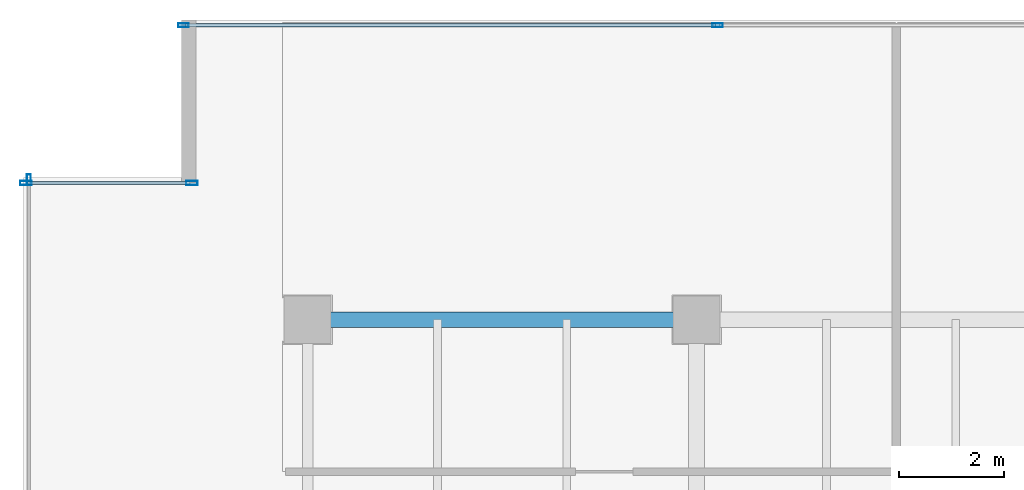
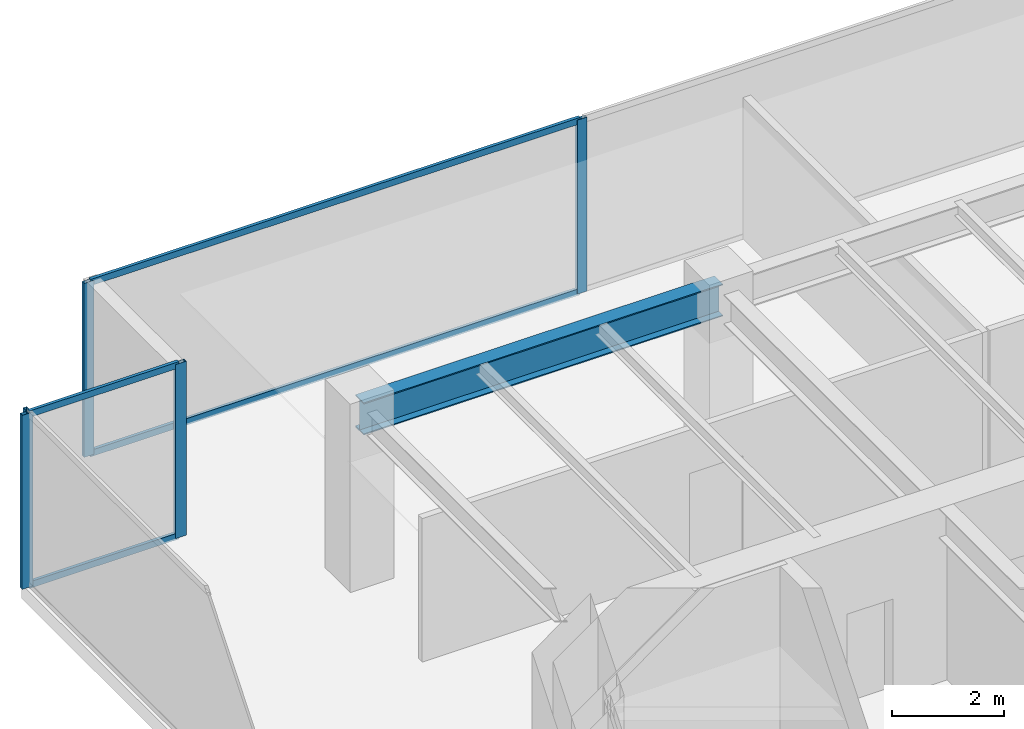
# One storey, part 14 of 33: 9 members, 1 beam, 3 elements without a shape of their own.
"""IFC4 building model written with IfcOpenShell, lengths in metres."""

from ifc_helpers import new_model, si_unit, direction, frame, origin, origin_2d, place, context, subcontext, project, spatial, hollow_rectangle, i_section, extrude, source, transform, mapped, material, layer, layer_set, material_profile, profile_set, type_object, type_shapes, element, aggregate, save


model = new_model("IFC4")

# Units and contexts
model_context = context("Model", 3, precision=1e-05, world=origin(), true_north=direction((0.0, 1.0)))
body_context = subcontext(model_context, "Body", "Model", "MODEL_VIEW")
ifc_project = project(units=[si_unit("LENGTHUNIT", "METRE"), si_unit("AREAUNIT", "SQUARE_METRE"), si_unit("VOLUMEUNIT", "CUBIC_METRE"), si_unit("PLANEANGLEUNIT", "RADIAN"), si_unit("MASSUNIT", "GRAM", prefix="KILO")], contexts=[model_context])

# Site, building, storey
site_placement = place(None, origin())
site = spatial("IfcSite", under=ifc_project, at=site_placement, CompositionType="ELEMENT")
building_placement = place(site_placement, origin())
building = spatial("IfcBuilding", under=site, at=building_placement, Name="Haelvirn Gate Laboratories", CompositionType="ELEMENT")
storey_placement = place(building_placement, frame((0.0, 0.0, 117.39990234375)))
storey = spatial("IfcBuildingStorey", under=building, at=storey_placement, Name="L28", CompositionType="ELEMENT", Elevation=117.39990234375)

# Beam
ifc_material_1 = material(Name="Steel SM355", Category="steel")
ifc_material_profile_1 = material_profile(ifc_material_1, i_section(OverallWidth=0.300048828125, OverallDepth=0.699951171875, WebThickness=0.012939453125, FlangeThickness=0.02392578125, at=origin_2d()), Name="H-700x300x13x24")
ifc_profile_set_1 = profile_set([ifc_material_profile_1], Name="Steel SM355")
beam_type = type_object("IfcBeamType", Name="BM-G-700", PredefinedType="BEAM", material=ifc_profile_set_1)
shared_shape_1 = source(origin(), body_context, "Body", "SweptSolid", [
    extrude(i_section(OverallWidth=0.300048828125, OverallDepth=0.699951171875, WebThickness=0.012939453125, FlangeThickness=0.02392578125, at=origin_2d()), origin(), (0.0, 0.0, 1.0), 7.400146484375),
])
type_shapes(beam_type, [shared_shape_1])
beam_placement = place(storey_placement, frame((7.39990234375, 41.60009765625, 3.440185546875), z_axis=(1.0, 0.0, 0.0), x_axis=(0.0, 1.0, 0.0)))
element("IfcBeam", 1, at=beam_placement, inside=storey, type_object=beam_type, Name="L28 Primary Girder Y41.6 (7.4-14.8)", PredefinedType="BEAM", context=body_context, shape_type="MappedRepresentation", body=[
    mapped(shared_shape_1, transform((0.0, 0.0, 0.0), scale=1.0)),
])

# Curtain wall, members
ifc_material_2 = material(Name="Anodised bronze unitised aluminium & triple low-E glass", Category="aluminium")
ifc_layer_1 = layer(ifc_material_2, 0.179931640625, Name="CW-SYS-3")
ifc_layer_set_1 = layer_set([ifc_layer_1], Name="Anodised bronze unitised aluminium & triple low-E glass")
curtain_wall_type_1 = type_object("IfcCurtainWallType", Name="CW-SYS-3", PredefinedType="NOTDEFINED", material=ifc_layer_set_1)
curtain_wall_1_placement = place(storey_placement, origin())
curtain_wall_1 = element("IfcCurtainWall", 2, at=curtain_wall_1_placement, inside=storey, type_object=curtain_wall_type_1, Name="L28 Unitised Curtain Wall CW-L28-P0-E14-1", PredefinedType="NOTDEFINED")
ifc_material_3 = material(Name="Extruded aluminium 6063-T6 (anodised bronze)", Category="aluminium")
ifc_material_profile_2 = material_profile(ifc_material_3, hollow_rectangle(XDim=0.06494140625, YDim=0.139892578125, WallThickness=0.00390625, at=origin_2d()), Name="CWT-140x65x4")
ifc_profile_set_2 = profile_set([ifc_material_profile_2], Name="Extruded aluminium 6063-T6 (anodised bronze)")
member_type_1 = type_object("IfcMemberType", Name="CWT-T140", PredefinedType="USERDEFINED", material=ifc_profile_set_2)
shared_shape_2 = source(origin(), body_context, "Body", "SweptSolid", [
    extrude(hollow_rectangle(XDim=0.06494140625, YDim=0.139892578125, WallThickness=0.00390625, at=origin_2d()), origin(), (0.0, 0.0, 1.0), 10.087646484375),
])
member_1_placement = place(storey_placement, frame((5.074951171875, 47.199951171875, 0.03271484375), z_axis=(1.0, 0.0, 0.0), x_axis=(0.0, 1.0, 0.0)))
member_1 = element("IfcMember", 3, at=member_1_placement, type_object=member_type_1, Name="CW3 transom 1.1", ObjectType="TRANSOM", PredefinedType="USERDEFINED", context=body_context, shape_type="MappedRepresentation", body=[
    mapped(shared_shape_2, transform((0.0, 0.0, 0.0), scale=1.0)),
])
member_2_placement = place(storey_placement, frame((5.074951171875, 47.199951171875, 3.757568359375), z_axis=(1.0, 0.0, 0.0), x_axis=(0.0, 1.0, 0.0)))
member_2 = element("IfcMember", 4, at=member_2_placement, type_object=member_type_1, Name="CW3 transom 1.2", ObjectType="TRANSOM", PredefinedType="USERDEFINED", context=body_context, shape_type="MappedRepresentation", body=[
    mapped(shared_shape_2, transform((0.0, 0.0, 0.0), scale=1.0)),
])

ifc_layer_2 = layer(ifc_material_2, 0.181884765625, Name="CW-SYS-5")
ifc_layer_set_2 = layer_set([ifc_layer_2], Name="Anodised bronze unitised aluminium & triple low-E glass")
curtain_wall_type_2 = type_object("IfcCurtainWallType", Name="CW-SYS-5", PredefinedType="NOTDEFINED", material=ifc_layer_set_2)
curtain_wall_2_placement = place(storey_placement, origin())
curtain_wall_2 = element("IfcCurtainWall", 5, at=curtain_wall_2_placement, inside=storey, type_object=curtain_wall_type_2, Name="L28 Unitised Curtain Wall CW-L28-P0-E16-1", PredefinedType="NOTDEFINED")
shared_shape_3 = source(origin(), body_context, "Body", "SweptSolid", [
    extrude(hollow_rectangle(XDim=0.06494140625, YDim=0.139892578125, WallThickness=0.00390625, at=origin_2d()), origin(), (0.0, 0.0, 1.0), 3.079833984375),
])
type_shapes(member_type_1, [shared_shape_2, shared_shape_3])
member_3_placement = place(storey_placement, frame((2.080078125, 44.199951171875, 0.03271484375), z_axis=(1.0, 0.0, 0.0), x_axis=(0.0, 1.0, 0.0)))
member_3 = element("IfcMember", 6, at=member_3_placement, type_object=member_type_1, Name="CW5 transom 1.1", ObjectType="TRANSOM", PredefinedType="USERDEFINED", context=body_context, shape_type="MappedRepresentation", body=[
    mapped(shared_shape_3, transform((0.0, 0.0, 0.0), scale=1.0)),
])
member_4_placement = place(storey_placement, frame((2.080078125, 44.199951171875, 3.757568359375), z_axis=(1.0, 0.0, 0.0), x_axis=(0.0, 1.0, 0.0)))
member_4 = element("IfcMember", 7, at=member_4_placement, type_object=member_type_1, Name="CW5 transom 1.2", ObjectType="TRANSOM", PredefinedType="USERDEFINED", context=body_context, shape_type="MappedRepresentation", body=[
    mapped(shared_shape_3, transform((0.0, 0.0, 0.0), scale=1.0)),
])

# Member
ifc_material_profile_3 = material_profile(ifc_material_3, hollow_rectangle(XDim=0.074951171875, YDim=0.199951171875, WallThickness=0.0048828125, at=origin_2d()), Name="CWM-200x75x5")
ifc_profile_set_3 = profile_set([ifc_material_profile_3], Name="Extruded aluminium 6063-T6 (anodised bronze)")
member_type_2 = type_object("IfcMemberType", Name="CWM-T200", PredefinedType="MULLION", material=ifc_profile_set_3)
shared_shape_4 = source(origin(), body_context, "Body", "SweptSolid", [
    extrude(hollow_rectangle(XDim=0.074951171875, YDim=0.199951171875, WallThickness=0.0048828125, at=origin_2d()), origin(), (0.0, 0.0, 1.0), 3.7900390625),
])
type_shapes(member_type_2, [shared_shape_4])
member_5_placement = place(storey_placement, frame((5.03759765625, 47.199951171875, 0.0), z_axis=(0.0, 0.0, 1.0), x_axis=(0.0, 1.0, 0.0)))
member_5 = element("IfcMember", 8, at=member_5_placement, type_object=member_type_2, Name="CW3 mullion 1", PredefinedType="MULLION", context=body_context, shape_type="MappedRepresentation", body=[
    mapped(shared_shape_4, transform((0.0, 0.0, 0.0), scale=1.0)),
])

member_6_placement = place(storey_placement, frame((15.199951171875, 47.199951171875, 0.0), z_axis=(0.0, 0.0, 1.0), x_axis=(0.0, 1.0, 0.0)))
member_6 = element("IfcMember", 9, at=member_6_placement, type_object=member_type_2, Name="CW3 mullion 2", PredefinedType="MULLION", context=body_context, shape_type="MappedRepresentation", body=[
    mapped(shared_shape_4, transform((0.0, 0.0, 0.0), scale=1.0)),
])

aggregate(curtain_wall_1, [member_5, member_6, member_1, member_2])

# Curtain wall, member
curtain_wall_3_placement = place(storey_placement, origin())
curtain_wall_3 = element("IfcCurtainWall", 10, at=curtain_wall_3_placement, inside=storey, type_object=curtain_wall_type_1, Name="L28 Unitised Curtain Wall CW-L28-P0-E17", PredefinedType="NOTDEFINED")
member_7_placement = place(storey_placement, frame((2.10009765625, 44.262451171875, 0.0), z_axis=(0.0, 0.0, 1.0), x_axis=(1.0, 0.0, 0.0)))
member_7 = element("IfcMember", 11, at=member_7_placement, type_object=member_type_2, Name="CW3 mullion 1", PredefinedType="MULLION", context=body_context, shape_type="MappedRepresentation", body=[
    mapped(shared_shape_4, transform((0.0, 0.0, 0.0), scale=1.0)),
])
aggregate(curtain_wall_3, [member_7])

# Member
ifc_material_profile_4 = material_profile(ifc_material_3, hollow_rectangle(XDim=0.080078125, YDim=0.219970703125, WallThickness=0.006103515625, at=origin_2d()), Name="CWM-220x80x6")
ifc_profile_set_4 = profile_set([ifc_material_profile_4], Name="Extruded aluminium 6063-T6 (anodised bronze)")
member_type_3 = type_object("IfcMemberType", Name="CWM-T220", PredefinedType="MULLION", material=ifc_profile_set_4)
shared_shape_5 = source(origin(), body_context, "Body", "SweptSolid", [
    extrude(hollow_rectangle(XDim=0.080078125, YDim=0.219970703125, WallThickness=0.006103515625, at=origin_2d()), origin(), (0.0, 0.0, 1.0), 3.7900390625),
])
type_shapes(member_type_3, [shared_shape_5])
member_8_placement = place(storey_placement, frame((2.0400390625, 44.199951171875, 0.0), z_axis=(0.0, 0.0, 1.0), x_axis=(0.0, 1.0, 0.0)))
member_8 = element("IfcMember", 12, at=member_8_placement, type_object=member_type_3, Name="CW5 mullion 1", PredefinedType="MULLION", context=body_context, shape_type="MappedRepresentation", body=[
    mapped(shared_shape_5, transform((0.0, 0.0, 0.0), scale=1.0)),
])

member_9_placement = place(storey_placement, frame((5.199951171875, 44.199951171875, 0.0), z_axis=(0.0, 0.0, 1.0), x_axis=(0.0, 1.0, 0.0)))
member_9 = element("IfcMember", 13, at=member_9_placement, type_object=member_type_3, Name="CW5 mullion 2", PredefinedType="MULLION", context=body_context, shape_type="MappedRepresentation", body=[
    mapped(shared_shape_5, transform((0.0, 0.0, 0.0), scale=1.0)),
])

aggregate(curtain_wall_2, [member_8, member_9, member_3, member_4])

save(model, "model.ifc")
